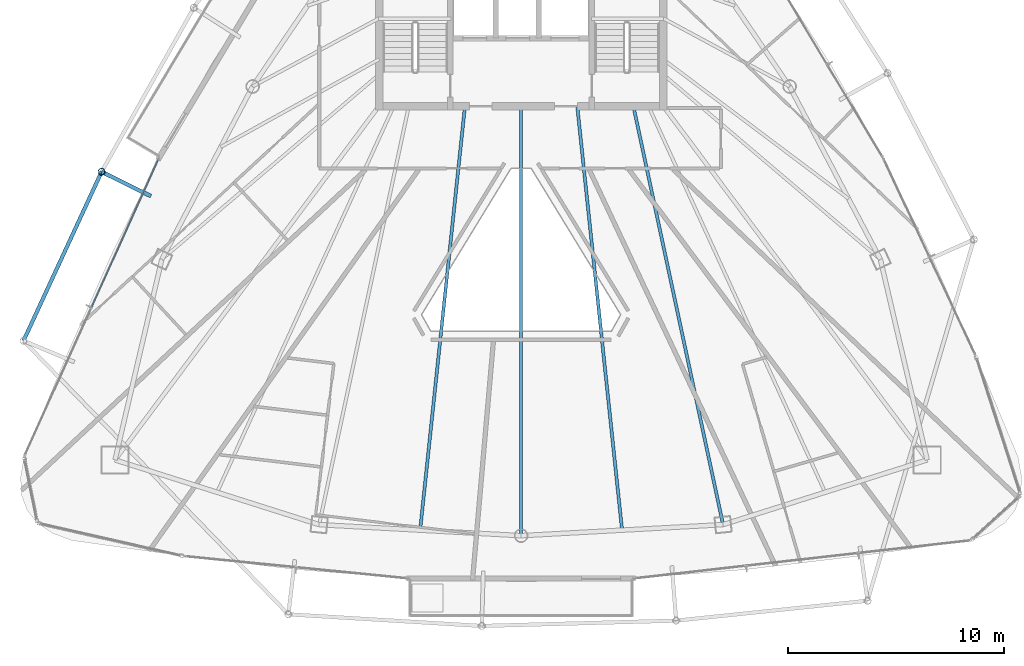
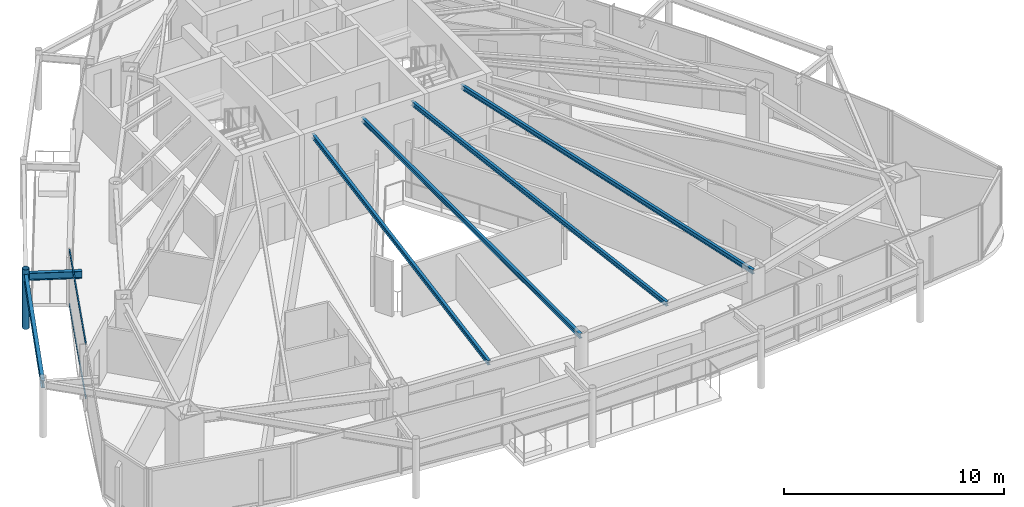
# One storey, part 9 of 32: 6 beams, 3 members, 1 element without a shape of its own.
"""IFC4 building model written with IfcOpenShell, lengths in metres."""

from ifc_helpers import new_model, si_unit, direction, frame, origin, origin_2d, place, context, subcontext, project, spatial, hollow_rectangle, hollow_circle, i_section, extrude, material, layer, layer_set, material_profile, profile_set, type_object, element, aggregate, save


model = new_model("IFC4")

# Units and contexts
model_context = context("Model", 3, precision=1e-05, world=origin(), true_north=direction((0.0, 1.0)))
body_context = subcontext(model_context, "Body", "Model", "MODEL_VIEW")
ifc_project = project(units=[si_unit("LENGTHUNIT", "METRE"), si_unit("AREAUNIT", "SQUARE_METRE"), si_unit("VOLUMEUNIT", "CUBIC_METRE"), si_unit("PLANEANGLEUNIT", "RADIAN"), si_unit("MASSUNIT", "GRAM", prefix="KILO")], contexts=[model_context])

# Site, building, storey
site_placement = place(None, origin())
site = spatial("IfcSite", under=ifc_project, at=site_placement, CompositionType="ELEMENT")
building_placement = place(site_placement, origin())
building = spatial("IfcBuilding", under=site, at=building_placement, Name="Orvanel Arch Residences", CompositionType="ELEMENT")
storey_placement = place(building_placement, frame((0.0, 0.0, 216.199951171875)))
storey = spatial("IfcBuildingStorey", under=building, at=storey_placement, Name="L61", CompositionType="ELEMENT", Elevation=216.199951171875)

# Beams
ifc_material_1 = material(Name="Structural steel AS/NZS 3679.1 Grade 300 (300 MPa)", Category="steel")
ifc_material_profile_1 = material_profile(ifc_material_1, i_section(OverallWidth=0.14599609375, OverallDepth=0.251953125, WebThickness=0.006103515625, FlangeThickness=0.008544921875, at=origin_2d()), Name="250UB31.4")
ifc_profile_set_1 = profile_set([ifc_material_profile_1], Name="Structural steel AS/NZS 3679.1 Grade 300 (300 MPa)")
beam_type_1 = type_object("IfcBeamType", Name="BJ-250UB", PredefinedType="JOIST", material=ifc_profile_set_1)
beam_1_placement = place(storey_placement, frame((38.199951171875, 26.72509765625, 2.93408203125), z_axis=(0.209547604985, -0.977798446125, 0.0), x_axis=(0.977798446125, 0.209547604985, 0.0)))
element("IfcBeam", 1, at=beam_1_placement, inside=storey, type_object=beam_type_1, Name="L61 SE Wing Floor Joist", PredefinedType="JOIST", context=body_context, shape_type="SweptSolid", body=[
    extrude(i_section(OverallWidth=0.14599609375, OverallDepth=0.251953125, WebThickness=0.006103515625, FlangeThickness=0.008544921875, at=origin_2d()), origin(), (0.0, 0.0, 1.0), 19.809814453125),
])
beam_2_placement = place(storey_placement, frame((33.0, 26.72509765625, 2.93408203125), z_axis=(0.0, -1.0, 0.0), x_axis=(1.0, 0.0, 0.0)))
element("IfcBeam", 2, at=beam_2_placement, inside=storey, type_object=beam_type_1, Name="L61 SSW Wing Floor Joist", PredefinedType="JOIST", context=body_context, shape_type="SweptSolid", body=[
    extrude(i_section(OverallWidth=0.14599609375, OverallDepth=0.251953125, WebThickness=0.006103515625, FlangeThickness=0.008544921875, at=origin_2d()), origin(), (0.0, 0.0, 1.0), 19.881103515625),
])
for number, where, z_axis, x_axis, name in (
    (3, (30.39990234375, 26.72509765625, 2.93408203125), (-0.105143936131, -0.994457014, 0.0), (0.994457014, -0.105143936131, 0.0), "L61 WSW2 Wing Floor Joist"),
    (4, (35.60009765625, 26.72509765625, 2.93408203125), (0.105143936131, -0.994457014, 0.0), (0.994457014, 0.105143936131, 0.0), "L61 ESE2 Wing Floor Joist"),
):
    element("IfcBeam", number, at=place(storey_placement, frame(where, z_axis=z_axis, x_axis=x_axis)), inside=storey, type_object=beam_type_1, Name=name, PredefinedType="JOIST", context=body_context, shape_type="SweptSolid", body=[
        extrude(i_section(OverallWidth=0.14599609375, OverallDepth=0.251953125, WebThickness=0.006103515625, FlangeThickness=0.008544921875, at=origin_2d()), origin(), (0.0, 0.0, 1.0), 19.734375),
    ])
ifc_material_profile_2 = material_profile(ifc_material_1, i_section(OverallWidth=0.177978515625, OverallDepth=0.406005859375, WebThickness=0.0078125, FlangeThickness=0.0126953125, at=origin_2d()), Name="410UB59.7")
ifc_profile_set_2 = profile_set([ifc_material_profile_2], Name="Structural steel AS/NZS 3679.1 Grade 300 (300 MPa)")
beam_type_2 = type_object("IfcBeamType", Name="OB-410UB-EXT", PredefinedType="SPANDREL", material=ifc_profile_set_2)
beam_3_placement = place(storey_placement, frame((15.863037109375, 22.56201171875, 2.85693359375), z_axis=(-0.89686462771, 0.442305143043, 0.0), x_axis=(-0.442305143043, -0.89686462771, 0.0)))
element("IfcBeam", 5, at=beam_3_placement, inside=storey, type_object=beam_type_2, Name="L61 Outer Frame Radial Tie Beam 03", PredefinedType="SPANDREL", context=body_context, shape_type="SweptSolid", body=[
    extrude(i_section(OverallWidth=0.177978515625, OverallDepth=0.406005859375, WebThickness=0.0078125, FlangeThickness=0.0126953125, at=origin_2d()), origin(), (0.0, 0.0, 1.0), 2.550048828125),
])
beam_4_placement = place(storey_placement, frame((13.575927734375, 23.68994140625, 2.85693359375), z_axis=(-0.419519874519, -0.907746151126, 0.0), x_axis=(0.907746151126, -0.419519874519, 0.0)))
element("IfcBeam", 6, at=beam_4_placement, inside=storey, type_object=beam_type_2, Name="L61 Outer Perimeter Floor Ring Beam 03", PredefinedType="SPANDREL", context=body_context, shape_type="SweptSolid", body=[
    extrude(i_section(OverallWidth=0.177978515625, OverallDepth=0.406005859375, WebThickness=0.0078125, FlangeThickness=0.0126953125, at=origin_2d()), origin(), (0.0, 0.0, 1.0), 8.616943359375),
])

# Member
ifc_material_2 = material(Name="Structural steel AS/NZS 1163 C350L0 (Grade 350)", Category="steel")
ifc_material_profile_3 = material_profile(ifc_material_2, hollow_circle(Radius=0.162109375, WallThickness=0.0126953125, at=origin_2d()), Name="CHS324x12.7")
ifc_profile_set_3 = profile_set([ifc_material_profile_3], Name="Structural steel AS/NZS 1163 C350L0 (Grade 350)")
member_type_1 = type_object("IfcMemberType", Name="ST-324CHS-EXT", PredefinedType="STRUT", material=ifc_profile_set_3)
member_1_placement = place(storey_placement, frame((13.575927734375, 23.68994140625, 0.0), z_axis=(0.0, 0.0, 1.0), x_axis=(1.0, 0.0, 0.0)))
element("IfcMember", 7, at=member_1_placement, inside=storey, type_object=member_type_1, Name="L61 Outer Perimeter Frame Post 03", PredefinedType="STRUT", context=body_context, shape_type="SweptSolid", body=[
    extrude(hollow_circle(Radius=0.162109375, WallThickness=0.0126953125, at=origin_2d()), origin(), (0.0, 0.0, 1.0), 3.300048828125),
])

# Curtain wall, members
ifc_material_3 = material(Name="Bronze-anodised aluminium AA6063-T6", Category="aluminium")
ifc_layer = layer(ifc_material_3, 0.175048828125)
ifc_layer_set = layer_set([ifc_layer], Name="Bronze-anodised aluminium AA6063-T6")
curtain_wall_type = type_object("IfcCurtainWallType", Name="CW4-HI-SYS", PredefinedType="NOTDEFINED", material=ifc_layer_set)
curtain_wall_placement = place(storey_placement, origin())
curtain_wall = element("IfcCurtainWall", 8, at=curtain_wall_placement, inside=storey, type_object=curtain_wall_type, Name="L61 CW4-HI-SYS Unitised Curtain Wall", PredefinedType="NOTDEFINED")
ifc_material_profile_4 = material_profile(ifc_material_3, hollow_rectangle(XDim=0.06005859375, YDim=0.1201171875, WallThickness=0.00341796875, at=origin_2d()), Name="ALU120x60x3.5")
ifc_profile_set_4 = profile_set([ifc_material_profile_4], Name="Bronze-anodised aluminium AA6063-T6")
member_type_2 = type_object("IfcMemberType", Name="TRN-120x60", PredefinedType="USERDEFINED", material=ifc_profile_set_4)
member_2_placement = place(storey_placement, frame((16.2001953125, 24.2568359375, 0.030029296875), z_axis=(-0.411346104945, -0.911479227381, 0.0), x_axis=(0.911479227381, -0.411346104945, 0.0)))
member_2 = element("IfcMember", 9, at=member_2_placement, type_object=member_type_2, Name="CW-S4 transom 1.1", ObjectType="TRANSOM", PredefinedType="USERDEFINED", context=body_context, shape_type="SweptSolid", body=[
    extrude(hollow_rectangle(XDim=0.06005859375, YDim=0.1201171875, WallThickness=0.00341796875, at=origin_2d()), origin(), (0.0, 0.0, 1.0), 7.4765625),
])
member_3_placement = place(storey_placement, frame((16.2001953125, 24.2568359375, 3.030029296875), z_axis=(-0.411346104945, -0.911479227381, 0.0), x_axis=(0.911479227381, -0.411346104945, 0.0)))
member_3 = element("IfcMember", 10, at=member_3_placement, type_object=member_type_2, Name="CW-S4 transom 1.2", ObjectType="TRANSOM", PredefinedType="USERDEFINED", context=body_context, shape_type="SweptSolid", body=[
    extrude(hollow_rectangle(XDim=0.06005859375, YDim=0.1201171875, WallThickness=0.00341796875, at=origin_2d()), origin(), (0.0, 0.0, 1.0), 7.4765625),
])
aggregate(curtain_wall, [member_2, member_3])

save(model, "model.ifc")
